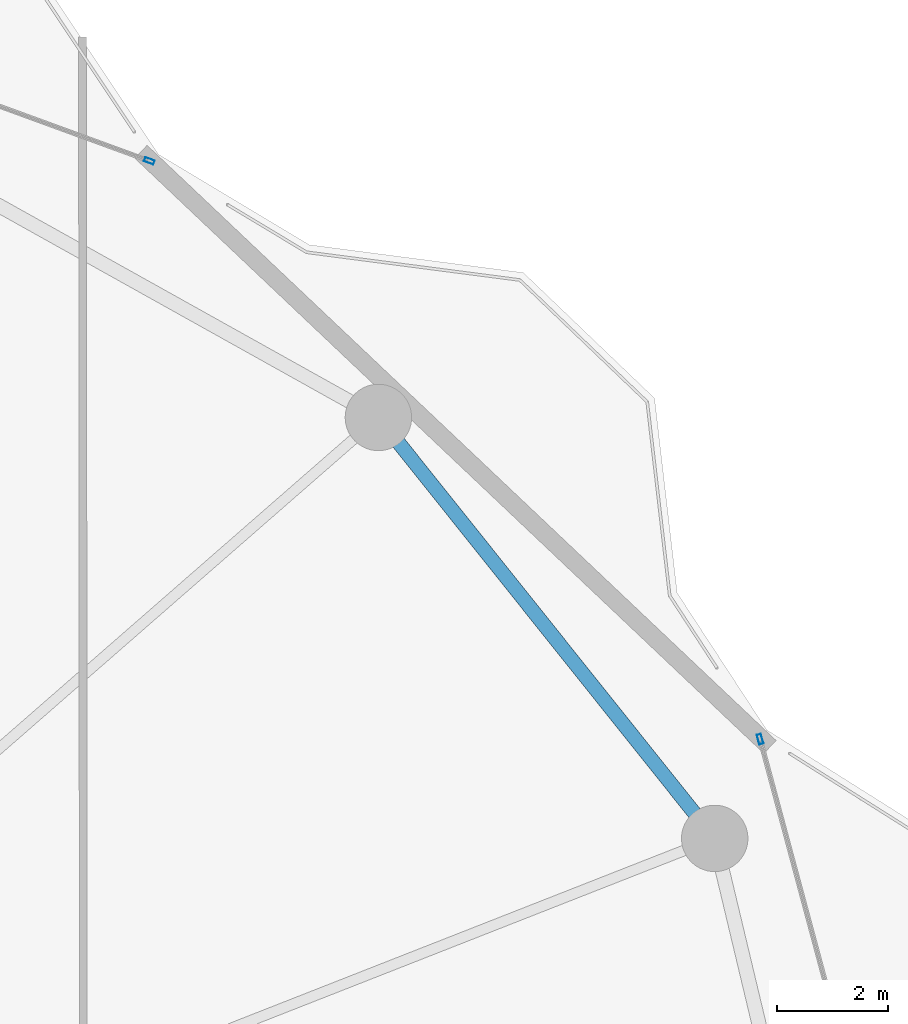
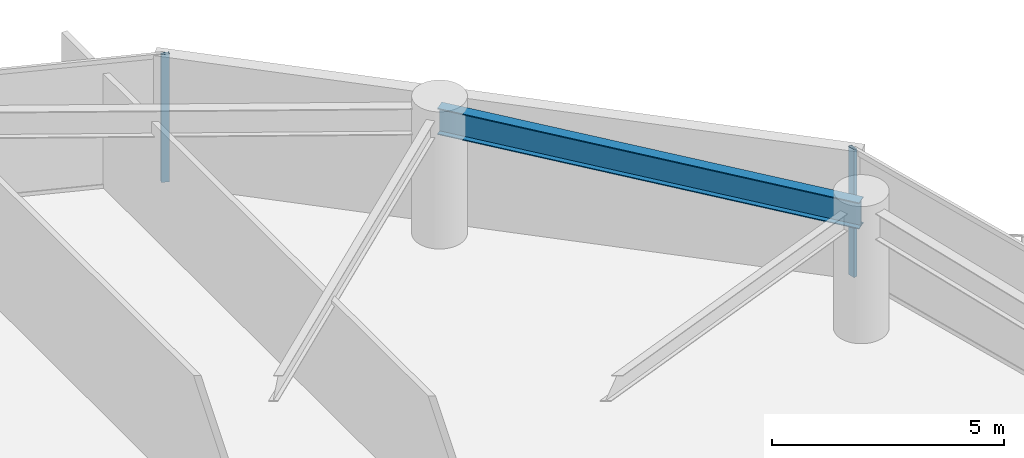
# One storey, part 21 of 28: 2 members, 1 beam, 2 elements without a shape of their own.
"""IFC4 building model written with IfcOpenShell, lengths in metres."""

import ifcopenshell
import ifcopenshell.guid

model = None  # the IFC model being written
_history = None  # IfcOwnerHistory: only IFC2X3 demands one
_inside = {}  # id of a spatial element -> (the spatial element, [elements in it])
_under = {}  # id of a project, library or spatial element -> (it, [spatial elements below it])
_declared = {}  # id of a project -> (the project, [libraries it declares])
_typed = {}  # id of a type object -> (the type object, [elements of that type])
_made_of = {}  # id of a material, layer set ... -> (it, [elements and type objects made of it])


def new_model(schema):
    """Start an empty IFC model of exactly this schema.

    Asked for "IFC4X3", IfcOpenShell would pick the latest addendum, in which some entities
    have other attributes; the version numbers below select the first issue.
    IFC2X3 requires an IfcOwnerHistory on every rooted entity: one is made here for all.
    """
    global model, _history
    if schema == "IFC4X3":
        model = ifcopenshell.file(schema_version=(4, 3, 0, 0))
    else:
        model = ifcopenshell.file(schema=schema)
    _inside.clear()
    _under.clear()
    _declared.clear()
    _typed.clear()
    _made_of.clear()
    _history = None
    if model.schema == "IFC2X3":
        org = make("IfcOrganization", Name="unknown")
        user = make(
            "IfcPersonAndOrganization",
            ThePerson=make("IfcPerson", FamilyName="unknown"),
            TheOrganization=org,
        )
        app = make(
            "IfcApplication",
            ApplicationDeveloper=org,
            Version="unknown",
            ApplicationFullName="unknown",
            ApplicationIdentifier="unknown",
        )
        _history = make(
            "IfcOwnerHistory",
            OwningUser=user,
            OwningApplication=app,
            ChangeAction="ADDED",
            CreationDate=0,
        )
    return model


def make(cls, **values):
    """One entity of the class cls with the attributes given. An attribute that is None is left unset."""
    return model.create_entity(
        cls, **{name: value for name, value in values.items() if value is not None}
    )


def rooted(cls, **values):
    """An entity with a GlobalId (a new one), such as an element, a storey or a relation."""
    return make(cls, GlobalId=ifcopenshell.guid.new(), OwnerHistory=_history, **values)


def si_unit(unit_type, name, prefix=None):
    """IfcSIUnit, for example si_unit("LENGTHUNIT", "METRE", prefix="MILLI")."""
    return make("IfcSIUnit", UnitType=unit_type, Prefix=prefix, Name=name)


def assignment(units):
    """IfcUnitAssignment: the units of a project."""
    return None if units is None else make("IfcUnitAssignment", Units=units)


def point(xyz):
    """IfcCartesianPoint."""
    return None if xyz is None else make("IfcCartesianPoint", Coordinates=xyz)


def direction(xyz):
    """IfcDirection."""
    return None if xyz is None else make("IfcDirection", DirectionRatios=xyz)


def frame(location, z_axis=None, x_axis=None):
    """IfcAxis2Placement3D, a coordinate frame: its origin and axes. An axis left out is left unset."""
    return make(
        "IfcAxis2Placement3D",
        Location=point(location),
        Axis=direction(z_axis),
        RefDirection=direction(x_axis),
    )


def frame_2d(location, x_axis=None):
    """IfcAxis2Placement2D, a coordinate frame in the plane: its origin and x axis."""
    return make(
        "IfcAxis2Placement2D", Location=point(location), RefDirection=direction(x_axis)
    )


def origin():
    """The frame at (0, 0, 0) with its axes left unset."""
    return frame((0.0, 0.0, 0.0))


def origin_2d():
    """The frame at (0, 0) in the plane with its x axis left unset."""
    return frame_2d((0.0, 0.0))


def place(relative_to, where):
    """IfcLocalPlacement: puts the frame where relative to a parent placement (None: the world)."""
    return make(
        "IfcLocalPlacement", PlacementRelTo=relative_to, RelativePlacement=where
    )


def context(
    kind, dimensions, precision=None, world=None, true_north=None, identifier=None
):
    """IfcGeometricRepresentationContext, for example the 3D "Model" context."""
    return make(
        "IfcGeometricRepresentationContext",
        ContextIdentifier=identifier,
        ContextType=kind,
        CoordinateSpaceDimension=dimensions,
        Precision=precision,
        WorldCoordinateSystem=world,
        TrueNorth=true_north,
    )


def subcontext(parent, identifier, kind, view, scale=None):
    """IfcGeometricRepresentationSubContext, for example "Body" below "Model"."""
    return make(
        "IfcGeometricRepresentationSubContext",
        ContextIdentifier=identifier,
        ContextType=kind,
        ParentContext=parent,
        TargetScale=scale,
        TargetView=view,
    )


def project(units=None, contexts=None):
    """IfcProject with its units and contexts."""
    return rooted(
        "IfcProject",
        Name="project",
        RepresentationContexts=contexts,
        UnitsInContext=assignment(units),
    )


def spatial(cls, under=None, at=None, **own):
    """A site, building, storey or space (cls), placed at a placement, below another one or the project."""
    s = rooted(cls, ObjectPlacement=at, **own)
    if under is not None:
        _under.setdefault(under.id(), (under, []))[1].append(s)
    return s


def profile(cls, at=None, kind="AREA", **sizes):
    """A parametric profile (cls). Its sizes go by their IFC names, for example OverallWidth=200.0."""
    return make(cls, ProfileType=kind, Position=at, **sizes)


def hollow_rectangle(**sizes):
    """IfcRectangleHollowProfileDef."""
    return profile("IfcRectangleHollowProfileDef", **sizes)


def i_section(**sizes):
    """IfcIShapeProfileDef."""
    return profile("IfcIShapeProfileDef", **sizes)


def extrude(swept, where, along, depth):
    """IfcExtrudedAreaSolid: the profile swept, set in the frame where, extruded along a direction by depth."""
    return make(
        "IfcExtrudedAreaSolid",
        SweptArea=swept,
        Position=where,
        ExtrudedDirection=direction(along),
        Depth=depth,
    )


def shape(context_of_items, identifier, shape_type, items):
    """IfcShapeRepresentation: the items that make up one representation, for example the "Body"."""
    return make(
        "IfcShapeRepresentation",
        ContextOfItems=context_of_items,
        RepresentationIdentifier=identifier,
        RepresentationType=shape_type,
        Items=items,
    )


def material(Name=None, Category=None):
    """IfcMaterial."""
    return make("IfcMaterial", Name=Name, Category=Category)


def layer(
    of_material, thickness, ventilated=None, Name=None, Category=None, Priority=None
):
    """IfcMaterialLayer: one layer of a wall or slab, of a material (None: an air gap)."""
    return make(
        "IfcMaterialLayer",
        Material=of_material,
        LayerThickness=thickness,
        IsVentilated=ventilated,
        Name=Name,
        Category=Category,
        Priority=Priority,
    )


def layer_set(layers, Name=None):
    """IfcMaterialLayerSet."""
    return make("IfcMaterialLayerSet", MaterialLayers=layers, LayerSetName=Name)


def material_profile(
    of_material, cross_section, Name=None, Category=None, Priority=None
):
    """IfcMaterialProfile: a cross section and its material."""
    return make(
        "IfcMaterialProfile",
        Name=Name,
        Material=of_material,
        Profile=cross_section,
        Priority=Priority,
        Category=Category,
    )


def profile_set(profiles, Name=None, composite=None):
    """IfcMaterialProfileSet."""
    return make(
        "IfcMaterialProfileSet",
        Name=Name,
        MaterialProfiles=profiles,
        CompositeProfile=composite,
    )


def made_of(thing, what):
    """Note that an element or type object is made of a material, layer set ...; save() writes the relation."""
    if what is not None:
        _made_of.setdefault(what.id(), (what, []))[1].append(thing)
    return thing


def type_object(cls, material=None, **own):
    """A type object (cls), such as IfcWallType, which elements share."""
    return made_of(rooted(cls, **own), material)


def element(
    cls,
    number,
    at=None,
    inside=None,
    cuts=None,
    type_object=None,
    material=None,
    context=None,
    identifier="Body",
    shape_type=None,
    held_by="IfcProductDefinitionShape",
    body=None,
    shapes=None,
    **own,
):
    """One element of the class cls, such as IfcWall. Its Tag is "e" and its number.

    at: its placement. inside: the storey or other place that contains it. cuts: it is an
    opening in that element (IfcRelVoidsElement). A single representation is given by context,
    identifier, shape_type and body (its items); several are given by shapes. held_by: the class
    of the entity that holds the representations. save() writes the other relations.
    """
    e = rooted(cls, Tag="e%d" % number, ObjectPlacement=at, **own)
    if body is not None:
        shapes = [shape(context, identifier, shape_type, body)]
    if shapes is not None:
        e.Representation = make(held_by, Representations=shapes)
    if inside is not None:
        _inside.setdefault(inside.id(), (inside, []))[1].append(e)
    if cuts is not None:
        rooted(
            "IfcRelVoidsElement", RelatingBuildingElement=cuts, RelatedOpeningElement=e
        )
    if type_object is not None:
        _typed.setdefault(type_object.id(), (type_object, []))[1].append(e)
    return made_of(e, material)


def aggregate(whole, parts):
    """IfcRelAggregates: a whole, such as a stair, and the parts it consists of."""
    return rooted("IfcRelAggregates", RelatingObject=whole, RelatedObjects=parts)


def save(model, path):
    """Write the relations noted so far, then the file.

    IfcRelAggregates (storeys below a building ...), IfcRelContainedInSpatialStructure (elements
    in a storey), IfcRelDefinesByType, IfcRelAssociatesMaterial and IfcRelDeclares: one each for
    every whole, place, type object, material and project.
    """
    for whole, parts in _under.values():
        aggregate(whole, parts)
    for where, things in _inside.values():
        rooted(
            "IfcRelContainedInSpatialStructure",
            RelatedElements=things,
            RelatingStructure=where,
        )
    for kind, things in _typed.values():
        rooted("IfcRelDefinesByType", RelatedObjects=things, RelatingType=kind)
    for what, things in _made_of.values():
        rooted("IfcRelAssociatesMaterial", RelatedObjects=things, RelatingMaterial=what)
    for by, libraries in _declared.values():
        rooted("IfcRelDeclares", RelatingContext=by, RelatedDefinitions=libraries)
    model.write(path)


model = new_model("IFC4")

# Units and contexts
model_context = context("Model", 3, precision=1e-05, world=origin(), true_north=direction((0.0, 1.0)))
body_context = subcontext(model_context, "Body", "Model", "MODEL_VIEW")
ifc_project = project(units=[si_unit("LENGTHUNIT", "METRE"), si_unit("AREAUNIT", "SQUARE_METRE"), si_unit("VOLUMEUNIT", "CUBIC_METRE"), si_unit("PLANEANGLEUNIT", "RADIAN"), si_unit("MASSUNIT", "GRAM", prefix="KILO")], contexts=[model_context])

# Site, building, storey
site_placement = place(None, origin())
site = spatial("IfcSite", under=ifc_project, at=site_placement, CompositionType="ELEMENT")
building_placement = place(site_placement, origin())
building = spatial("IfcBuilding", under=site, at=building_placement, Name="Kazevale Care Tower and Concert Hall", CompositionType="ELEMENT")
storey_placement = place(building_placement, frame((0.0, 0.0, 142.199951171875)))
storey = spatial("IfcBuildingStorey", under=building, at=storey_placement, Name="L37", CompositionType="ELEMENT", Elevation=142.199951171875)

# Curtain wall, member
ifc_material_1 = material(Name="Aluminium 6063-T6 and Low-E Glass", Category="aluminium")
ifc_layer_1 = layer(ifc_material_1, 0.179931640625)
ifc_layer_set_1 = layer_set([ifc_layer_1], Name="Aluminium 6063-T6 and Low-E Glass")
curtain_wall_type_1 = type_object("IfcCurtainWallType", Name="Convex Checkerboard Finned Curtain Wall CW-2", PredefinedType="NOTDEFINED", material=ifc_layer_set_1)
curtain_wall_1_placement = place(storey_placement, origin())
curtain_wall_1 = element("IfcCurtainWall", 1, at=curtain_wall_1_placement, inside=storey, type_object=curtain_wall_type_1, Name="cw:L37:f16", PredefinedType="NOTDEFINED")
ifc_material_2 = material(Name="Aluminium 6063-T6", Category="aluminium")
ifc_material_profile_1 = material_profile(ifc_material_2, hollow_rectangle(XDim=0.080078125, YDim=0.179931640625, WallThickness=0.0048828125, at=origin_2d()), Name="ALU80x180x5")
ifc_profile_set_1 = profile_set([ifc_material_profile_1], Name="Aluminium 6063-T6")
member_type_1 = type_object("IfcMemberType", Name="CW-2 Mullion ALU80x180x5", PredefinedType="MULLION", material=ifc_profile_set_1)
member_1_placement = place(storey_placement, frame((60.689453125, 59.2177734375, 0.0), z_axis=(0.0, 0.0, 1.0), x_axis=(0.343143453498, 0.939283008641, 0.0)))
member_1 = element("IfcMember", 2, at=member_1_placement, type_object=member_type_1, Name="CW-2 mullion 2", PredefinedType="MULLION", context=body_context, shape_type="SweptSolid", body=[
    extrude(hollow_rectangle(XDim=0.080078125, YDim=0.179931640625, WallThickness=0.0048828125, at=origin_2d()), origin(), (0.0, 0.0, 1.0), 3.360107421875),
])
aggregate(curtain_wall_1, [member_1])

ifc_layer_2 = layer(ifc_material_1, 0.179931640625)
ifc_layer_set_2 = layer_set([ifc_layer_2], Name="Aluminium 6063-T6 and Low-E Glass")
curtain_wall_type_2 = type_object("IfcCurtainWallType", Name="Waist & Upper Residential Curtain Wall CW-4", PredefinedType="NOTDEFINED", material=ifc_layer_set_2)
curtain_wall_2_placement = place(storey_placement, origin())
curtain_wall_2 = element("IfcCurtainWall", 3, at=curtain_wall_2_placement, inside=storey, type_object=curtain_wall_type_2, Name="cw:L37:f18", PredefinedType="NOTDEFINED")
ifc_material_profile_2 = material_profile(ifc_material_2, hollow_rectangle(XDim=0.080078125, YDim=0.179931640625, WallThickness=0.0048828125, at=origin_2d()), Name="ALU80x180x5")
ifc_profile_set_2 = profile_set([ifc_material_profile_2], Name="Aluminium 6063-T6")
member_type_2 = type_object("IfcMemberType", Name="CW-4 Mullion ALU80x180x5", PredefinedType="MULLION", material=ifc_profile_set_2)
member_2_placement = place(storey_placement, frame((71.73046875, 48.764404296875, 0.0), z_axis=(0.0, 0.0, 1.0), x_axis=(0.965806263229, 0.259264848961, 0.0)))
member_2 = element("IfcMember", 4, at=member_2_placement, type_object=member_type_2, Name="CW-4 mullion 1", PredefinedType="MULLION", context=body_context, shape_type="SweptSolid", body=[
    extrude(hollow_rectangle(XDim=0.080078125, YDim=0.179931640625, WallThickness=0.0048828125, at=origin_2d()), origin(), (0.0, 0.0, 1.0), 3.360107421875),
])
aggregate(curtain_wall_2, [member_2])

# Beam
ifc_material_3 = material(Name="Steel ASTM A572 Gr 50", Category="steel")
ifc_material_profile_3 = material_profile(ifc_material_3, i_section(OverallWidth=0.256103515625, OverallDepth=0.693115234375, WebThickness=0.014404296875, FlangeThickness=0.023681640625, at=origin_2d()), Name="W690x170")
ifc_profile_set_3 = profile_set([ifc_material_profile_3], Name="Steel ASTM A572 Gr 50")
beam_type = type_object("IfcBeamType", Name="Waist Ring Beam W690x170", PredefinedType="BEAM", material=ifc_profile_set_3)
beam_placement = place(storey_placement, frame((70.909912109375, 46.969970703125, 3.013427734375), z_axis=(-0.624178340034, 0.781281895242, 0.0), x_axis=(-0.781281895242, -0.624178340034, 0.0)))
element("IfcBeam", 5, at=beam_placement, inside=storey, type_object=beam_type, Name="beam:L37:ring:02", PredefinedType="BEAM", context=body_context, shape_type="SweptSolid", body=[
    extrude(i_section(OverallWidth=0.256103515625, OverallDepth=0.693115234375, WebThickness=0.014404296875, FlangeThickness=0.023681640625, at=origin_2d()), origin(), (0.0, 0.0, 1.0), 9.740478515625),
])

save(model, "model.ifc")
